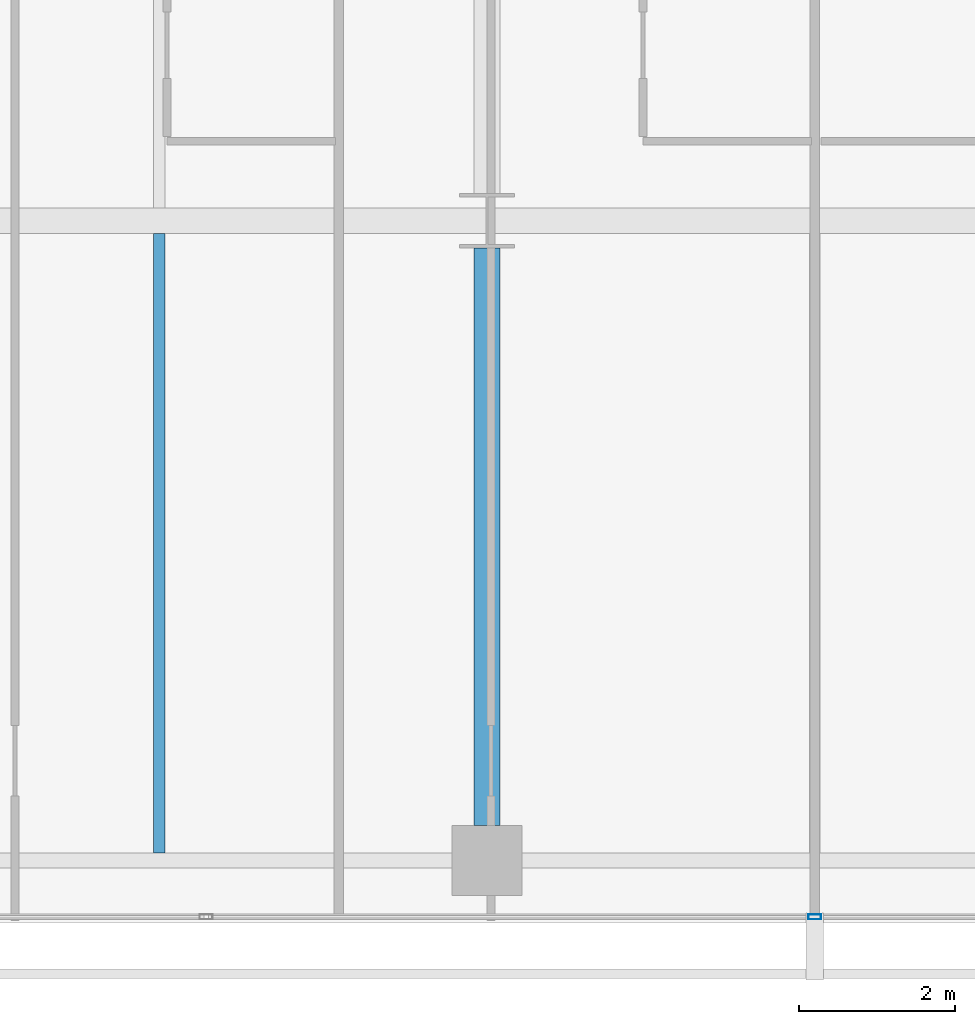
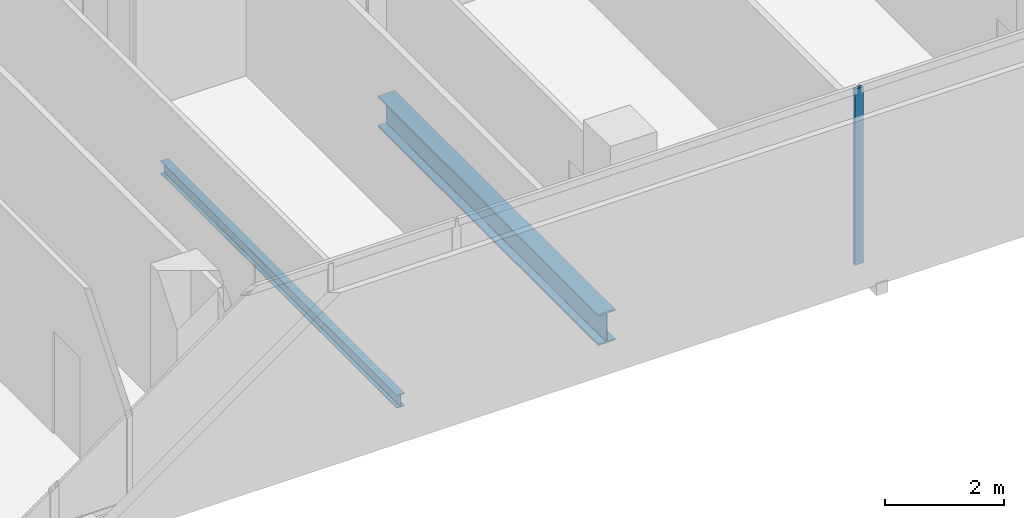
# One storey, part 8 of 40: 2 beams, 1 member, 1 element without a shape of its own.
"""IFC4 building model written with IfcOpenShell, lengths in metres."""

from ifc_helpers import new_model, si_unit, direction, frame, origin, origin_2d, place, context, subcontext, project, spatial, hollow_rectangle, i_section, extrude, material, layer, layer_set, material_profile, profile_set, type_object, element, aggregate, save


model = new_model("IFC4")

# Units and contexts
model_context = context("Model", 3, precision=1e-05, world=origin(), true_north=direction((0.0, 1.0)))
body_context = subcontext(model_context, "Body", "Model", "MODEL_VIEW")
ifc_project = project(units=[si_unit("LENGTHUNIT", "METRE"), si_unit("AREAUNIT", "SQUARE_METRE"), si_unit("VOLUMEUNIT", "CUBIC_METRE"), si_unit("PLANEANGLEUNIT", "RADIAN"), si_unit("MASSUNIT", "GRAM", prefix="KILO")], contexts=[model_context])

# Site, building, storey
site_placement = place(None, origin())
site = spatial("IfcSite", under=ifc_project, at=site_placement, CompositionType="ELEMENT")
building_placement = place(site_placement, origin())
building = spatial("IfcBuilding", under=site, at=building_placement, Name="Maruvema Waterfront Hotel and Observation Tower", CompositionType="ELEMENT")
storey_placement = place(building_placement, frame((0.0, 0.0, 30.800048828125)))
storey = spatial("IfcBuildingStorey", under=building, at=storey_placement, Name="L06", CompositionType="ELEMENT", Elevation=30.800048828125)

# Curtain wall, member
ifc_material_1 = material(Name="Anodised bronze aluminium and solar-control low-E IGU", Category="aluminium")
ifc_layer = layer(ifc_material_1, 0.159912109375, Name="Zone 1 Bronze Inner Thermal Curtain Wall System CW-02")
ifc_layer_set = layer_set([ifc_layer], Name="Anodised bronze aluminium and solar-control low-E IGU")
curtain_wall_type = type_object("IfcCurtainWallType", Name="Zone 1 Bronze Inner Thermal Curtain Wall System CW-02", PredefinedType="USERDEFINED", material=ifc_layer_set)
curtain_wall_placement = place(storey_placement, origin())
curtain_wall = element("IfcCurtainWall", 1, at=curtain_wall_placement, inside=storey, type_object=curtain_wall_type, Name="L06 Curtain Wall CW-L06-S", ObjectType="UNITISED CURTAIN WALL", PredefinedType="USERDEFINED")
ifc_material_2 = material(Name="Anodised architectural bronze aluminium", Category="aluminium")
ifc_material_profile_1 = material_profile(ifc_material_2, hollow_rectangle(XDim=0.06494140625, YDim=0.1650390625, WallThickness=0.00390625, at=origin_2d()), Name="ALU-M65x165")
ifc_profile_set_1 = profile_set([ifc_material_profile_1], Name="Anodised architectural bronze aluminium")
member_type = type_object("IfcMemberType", Name="Curtain Wall Primary Mullion ALU-M65x165", PredefinedType="MULLION", material=ifc_profile_set_1)
member_placement = place(storey_placement, frame((37.800048828125, 0.080078125, 0.0), z_axis=(0.0, 0.0, 1.0), x_axis=(0.0, 1.0, 0.0)))
member = element("IfcMember", 2, at=member_placement, type_object=member_type, Name="CW-02 mullion 4", PredefinedType="MULLION", context=body_context, shape_type="SweptSolid", body=[
    extrude(hollow_rectangle(XDim=0.06494140625, YDim=0.1650390625, WallThickness=0.00390625, at=origin_2d()), origin(), (0.0, 0.0, 1.0), 3.60986328125),
])
aggregate(curtain_wall, [member])

# Beams
ifc_material_3 = material(Name="Steel ASTM A572 Grade 50", Category="steel")
ifc_material_profile_2 = material_profile(ifc_material_3, i_section(OverallWidth=0.3291015625, OverallDepth=0.635009765625, WebThickness=0.017822265625, FlangeThickness=0.031005859375, FilletRadius=0.01806640625, at=origin_2d()), Name="W610x241.0")
ifc_profile_set_2 = profile_set([ifc_material_profile_2], Name="Steel ASTM A572 Grade 50")
beam_type_1 = type_object("IfcBeamType", Name="Primary Floor Girder W610x241.0", PredefinedType="BEAM", material=ifc_profile_set_2)
beam_1_placement = place(storey_placement, frame((33.60009765625, 1.25, -0.5576171875), z_axis=(0.0, 1.0, 0.0), x_axis=(-1.0, 0.0, 0.0)))
element("IfcBeam", 3, at=beam_1_placement, inside=storey, type_object=beam_type_1, Name="L06 Floor Girder NS-16", PredefinedType="BEAM", context=body_context, shape_type="SweptSolid", body=[
    extrude(i_section(OverallWidth=0.3291015625, OverallDepth=0.635009765625, WebThickness=0.017822265625, FlangeThickness=0.031005859375, FilletRadius=0.01806640625, at=origin_2d()), origin(), (0.0, 0.0, 1.0), 7.39990234375),
])
ifc_material_4 = material(Name="Steel ASTM A572 Grade 50", Category="steel")
ifc_material_profile_3 = material_profile(ifc_material_4, i_section(OverallWidth=0.14794921875, OverallDepth=0.26611328125, WebThickness=0.007568359375, FlangeThickness=0.012939453125, FilletRadius=0.012939453125, at=origin_2d()), Name="W250x44.8")
ifc_profile_set_3 = profile_set([ifc_material_profile_3], Name="Steel ASTM A572 Grade 50")
beam_type_2 = type_object("IfcBeamType", Name="Secondary Floor Joist W250x44.8", PredefinedType="JOIST", material=ifc_profile_set_3)
beam_2_placement = place(storey_placement, frame((29.39990234375, 0.89501953125, -0.373046875), z_axis=(0.0, 1.0, 0.0), x_axis=(-1.0, 0.0, 0.0)))
element("IfcBeam", 4, at=beam_2_placement, inside=storey, type_object=beam_type_2, Name="L06 Secondary Floor Joist JS-10", PredefinedType="JOIST", context=body_context, shape_type="SweptSolid", body=[
    extrude(i_section(OverallWidth=0.14794921875, OverallDepth=0.26611328125, WebThickness=0.007568359375, FlangeThickness=0.012939453125, FilletRadius=0.012939453125, at=origin_2d()), origin(), (0.0, 0.0, 1.0), 7.9404296875),
])

save(model, "model.ifc")
